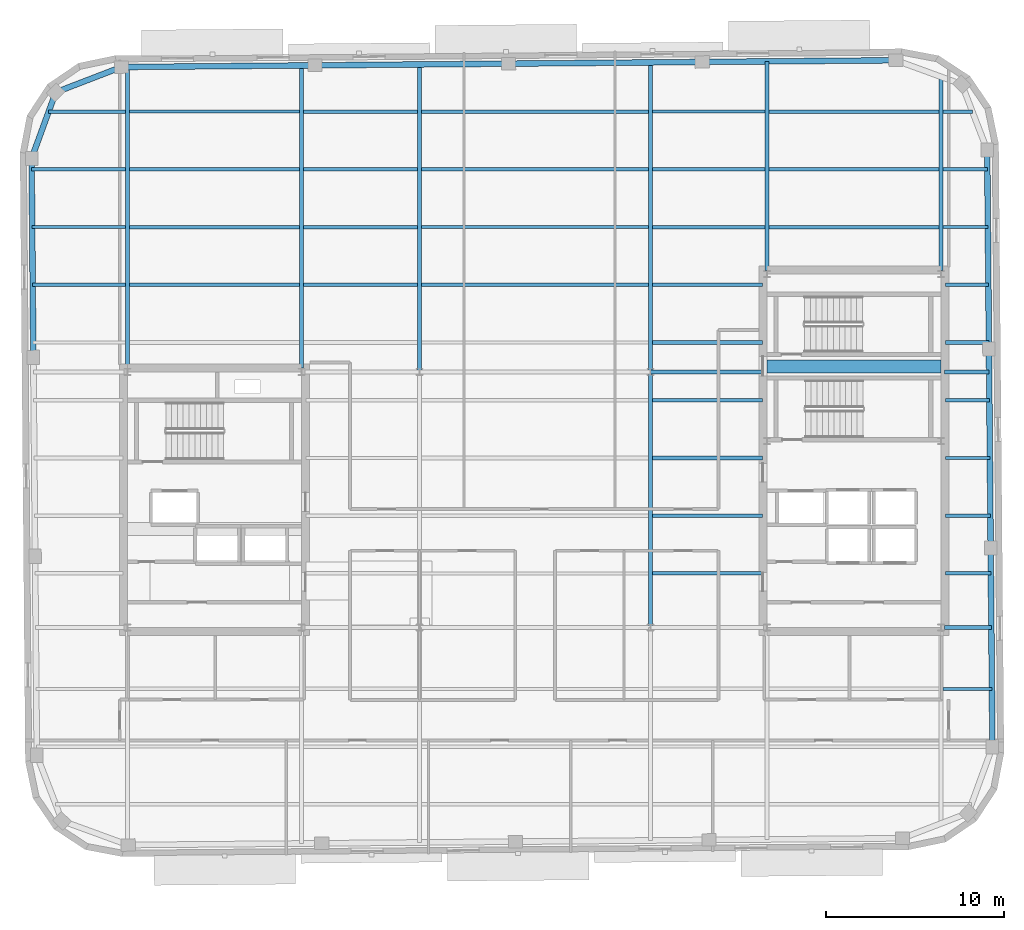
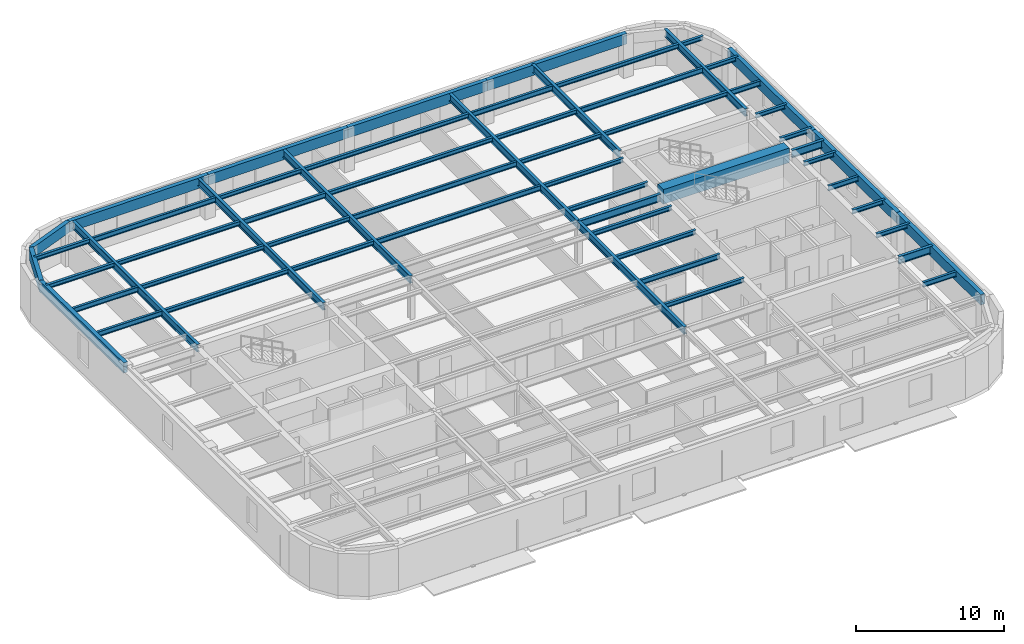
# One storey, part 5 of 13: 59 beams.
"""IFC4 building model written with IfcOpenShell, lengths in metres."""

from ifc_helpers import new_model, si_unit, direction, frame, origin, origin_2d, place, context, subcontext, project, spatial, rectangle, hollow_rectangle, i_section, extrude, material, material_profile, profile_set, type_object, element, save


model = new_model("IFC4")

# Units and contexts
model_context = context("Model", 3, precision=1e-05, world=origin(), true_north=direction((0.0, 1.0)))
body_context = subcontext(model_context, "Body", "Model", "MODEL_VIEW")
ifc_project = project(units=[si_unit("LENGTHUNIT", "METRE"), si_unit("AREAUNIT", "SQUARE_METRE"), si_unit("VOLUMEUNIT", "CUBIC_METRE"), si_unit("PLANEANGLEUNIT", "RADIAN"), si_unit("MASSUNIT", "GRAM", prefix="KILO")], contexts=[model_context])

# Site, building, storey
site_placement = place(None, origin())
site = spatial("IfcSite", under=ifc_project, at=site_placement, CompositionType="ELEMENT")
building_placement = place(site_placement, origin())
building = spatial("IfcBuilding", under=site, at=building_placement, Name="Kolvaren Arena Tower", CompositionType="ELEMENT")
storey_placement = place(building_placement, frame((0.0, 0.0, 286.14990234375)))
storey = spatial("IfcBuildingStorey", under=building, at=storey_placement, Name="L70", CompositionType="ELEMENT", Elevation=286.14990234375)

# Beams
ifc_material_1 = material(Name="Steel CSA G40.21 350W", Category="steel")
ifc_material_profile_1 = material_profile(ifc_material_1, i_section(OverallWidth=0.180908203125, OverallDepth=0.4169921875, WebThickness=0.010986328125, FlangeThickness=0.018310546875, FilletRadius=0.011962890625, at=origin_2d()), Name="W410x85")
ifc_profile_set_1 = profile_set([ifc_material_profile_1], Name="Steel CSA G40.21 350W")
beam_type_1 = type_object("IfcBeamType", Name="BEAM-F3", PredefinedType="BEAM", material=ifc_profile_set_1)
beam_1_placement = place(storey_placement, frame((60.464111328125, 16.0, 3.271484375), z_axis=(1.0, 0.0, 0.0), x_axis=(0.0, 1.0, 0.0)))
element("IfcBeam", 1, at=beam_1_placement, inside=storey, type_object=beam_type_1, Name="Composite Floor Beam (L70)", PredefinedType="BEAM", context=body_context, shape_type="SweptSolid", body=[
    extrude(i_section(OverallWidth=0.180908203125, OverallDepth=0.4169921875, WebThickness=0.010986328125, FlangeThickness=0.018310546875, FilletRadius=0.011962890625, at=origin_2d()), origin(), (0.0, 0.0, 1.0), 2.7529296875),
])
beam_2_placement = place(storey_placement, frame((44.114013671875, 25.75, 3.271484375), z_axis=(1.0, 0.0, 0.0), x_axis=(0.0, 1.0, 0.0)))
element("IfcBeam", 2, at=beam_2_placement, inside=storey, type_object=beam_type_1, Name="Composite Floor Beam (L70)", PredefinedType="BEAM", context=body_context, shape_type="SweptSolid", body=[
    extrude(i_section(OverallWidth=0.180908203125, OverallDepth=0.4169921875, WebThickness=0.010986328125, FlangeThickness=0.018310546875, FilletRadius=0.011962890625, at=origin_2d()), origin(), (0.0, 0.0, 1.0), 6.19091796875),
])
beam_3_placement = place(storey_placement, frame((60.594970703125, 29.0, 3.271484375), z_axis=(1.0, 0.0, 0.0), x_axis=(0.0, 1.0, 0.0)))
element("IfcBeam", 3, at=beam_3_placement, inside=storey, type_object=beam_type_1, Name="Composite Floor Beam (L70)", PredefinedType="BEAM", context=body_context, shape_type="SweptSolid", body=[
    extrude(i_section(OverallWidth=0.180908203125, OverallDepth=0.4169921875, WebThickness=0.010986328125, FlangeThickness=0.018310546875, FilletRadius=0.011962890625, at=origin_2d()), origin(), (0.0, 0.0, 1.0), 2.508544921875),
])
beam_4_placement = place(storey_placement, frame((9.216552734375, 38.75, 3.271484375), z_axis=(1.0, 0.0, 0.0), x_axis=(0.0, 1.0, 0.0)))
element("IfcBeam", 4, at=beam_4_placement, inside=storey, type_object=beam_type_1, Name="Composite Floor Beam (L70)", PredefinedType="BEAM", context=body_context, shape_type="SweptSolid", body=[
    extrude(i_section(OverallWidth=0.180908203125, OverallDepth=0.4169921875, WebThickness=0.010986328125, FlangeThickness=0.018310546875, FilletRadius=0.011962890625, at=origin_2d()), origin(), (0.0, 0.0, 1.0), 5.219482421875),
])
beam_5_placement = place(storey_placement, frame((31.114013671875, 38.75, 3.271484375), z_axis=(1.0, 0.0, 0.0), x_axis=(0.0, 1.0, 0.0)))
element("IfcBeam", 5, at=beam_5_placement, inside=storey, type_object=beam_type_1, Name="Composite Floor Beam (L70)", PredefinedType="BEAM", context=body_context, shape_type="SweptSolid", body=[
    extrude(i_section(OverallWidth=0.180908203125, OverallDepth=0.4169921875, WebThickness=0.010986328125, FlangeThickness=0.018310546875, FilletRadius=0.011962890625, at=origin_2d()), origin(), (0.0, 0.0, 1.0), 12.77197265625),
])
beam_6_placement = place(storey_placement, frame((9.18798828125, 42.0, 3.271484375), z_axis=(1.0, 0.0, 0.0), x_axis=(0.0, 1.0, 0.0)))
element("IfcBeam", 6, at=beam_6_placement, inside=storey, type_object=beam_type_1, Name="Composite Floor Beam (L70)", PredefinedType="BEAM", context=body_context, shape_type="SweptSolid", body=[
    extrude(i_section(OverallWidth=0.180908203125, OverallDepth=0.4169921875, WebThickness=0.010986328125, FlangeThickness=0.018310546875, FilletRadius=0.011962890625, at=origin_2d()), origin(), (0.0, 0.0, 1.0), 5.248046875),
])
beam_7_placement = place(storey_placement, frame((31.114013671875, 42.0, 3.271484375), z_axis=(1.0, 0.0, 0.0), x_axis=(0.0, 1.0, 0.0)))
element("IfcBeam", 7, at=beam_7_placement, inside=storey, type_object=beam_type_1, Name="Composite Floor Beam (L70)", PredefinedType="BEAM", context=body_context, shape_type="SweptSolid", body=[
    extrude(i_section(OverallWidth=0.180908203125, OverallDepth=0.4169921875, WebThickness=0.010986328125, FlangeThickness=0.018310546875, FilletRadius=0.011962890625, at=origin_2d()), origin(), (0.0, 0.0, 1.0), 12.77197265625),
])
beam_8_placement = place(storey_placement, frame((60.464111328125, 42.0, 3.271484375), z_axis=(1.0, 0.0, 0.0), x_axis=(0.0, 1.0, 0.0)))
element("IfcBeam", 8, at=beam_8_placement, inside=storey, type_object=beam_type_1, Name="Composite Floor Beam (L70)", PredefinedType="BEAM", context=body_context, shape_type="SweptSolid", body=[
    extrude(i_section(OverallWidth=0.180908203125, OverallDepth=0.4169921875, WebThickness=0.010986328125, FlangeThickness=0.018310546875, FilletRadius=0.011962890625, at=origin_2d()), origin(), (0.0, 0.0, 1.0), 2.526123046875),
])
beam_9_placement = place(storey_placement, frame((24.464111328125, 45.25, 3.271484375), z_axis=(1.0, 0.0, 0.0), x_axis=(0.0, 1.0, 0.0)))
element("IfcBeam", 9, at=beam_9_placement, inside=storey, type_object=beam_type_1, Name="Composite Floor Beam (L70)", PredefinedType="BEAM", context=body_context, shape_type="SweptSolid", body=[
    extrude(i_section(OverallWidth=0.180908203125, OverallDepth=0.4169921875, WebThickness=0.010986328125, FlangeThickness=0.018310546875, FilletRadius=0.011962890625, at=origin_2d()), origin(), (0.0, 0.0, 1.0), 6.421875),
])
for number, where, z_axis, x_axis, name in (
    (10, (50.6640625, 45.25, 3.271484375), (1.0, 0.0, 0.0), (0.0, 1.0, 0.0), "Composite Floor Beam (L70)"),
    (11, (14.6640625, 48.5, 3.271484375), (1.0, 0.0, 0.0), (0.0, 1.0, 0.0), "Composite Floor Beam (L70)"),
):
    element("IfcBeam", number, at=place(storey_placement, frame(where, z_axis=z_axis, x_axis=x_axis)), inside=storey, type_object=beam_type_1, Name=name, PredefinedType="BEAM", context=body_context, shape_type="SweptSolid", body=[
        extrude(i_section(OverallWidth=0.180908203125, OverallDepth=0.4169921875, WebThickness=0.010986328125, FlangeThickness=0.018310546875, FilletRadius=0.011962890625, at=origin_2d()), origin(), (0.0, 0.0, 1.0), 9.572021484375),
    ])
beam_10_placement = place(storey_placement, frame((44.114013671875, 48.5, 3.271484375), z_axis=(1.0, 0.0, 0.0), x_axis=(0.0, 1.0, 0.0)))
element("IfcBeam", 12, at=beam_10_placement, inside=storey, type_object=beam_type_1, Name="Composite Floor Beam (L70)", PredefinedType="BEAM", context=body_context, shape_type="SweptSolid", body=[
    extrude(i_section(OverallWidth=0.180908203125, OverallDepth=0.4169921875, WebThickness=0.010986328125, FlangeThickness=0.018310546875, FilletRadius=0.011962890625, at=origin_2d()), origin(), (0.0, 0.0, 1.0), 6.322021484375),
])
ifc_material_2 = material(Name="Concrete 60 MPa", Category="concrete")
ifc_material_profile_2 = material_profile(ifc_material_2, rectangle(XDim=0.75, YDim=1.199951171875, at=origin_2d()), Name="RC-750x1200")
ifc_profile_set_2 = profile_set([ifc_material_profile_2], Name="Concrete 60 MPa")
beam_type_2 = type_object("IfcBeamType", Name="CB-CORE-2", PredefinedType="BEAM", material=ifc_profile_set_2)
beam_11_placement = place(storey_placement, frame((50.550048828125, 34.14990234375, 3.150146484375), z_axis=(1.0, 0.0, 0.0), x_axis=(0.0, 1.0, 0.0)))
element("IfcBeam", 13, at=beam_11_placement, inside=storey, type_object=beam_type_2, Name="East Core Coupling Beam (L70)", PredefinedType="BEAM", context=body_context, shape_type="SweptSolid", body=[
    extrude(rectangle(XDim=0.75, YDim=1.199951171875, at=origin_2d()), origin(), (0.0, 0.0, 1.0), 9.800048828125),
])
ifc_material_profile_3 = material_profile(ifc_material_1, i_section(OverallWidth=0.22802734375, OverallDepth=0.615966796875, WebThickness=0.013916015625, FlangeThickness=0.02490234375, FilletRadius=0.014892578125, at=origin_2d()), Name="W610x174")
ifc_profile_set_3 = profile_set([ifc_material_profile_3], Name="Steel CSA G40.21 350W")
beam_type_3 = type_object("IfcBeamType", Name="GIRD-T3", PredefinedType="BEAM", material=ifc_profile_set_3)
beam_12_placement = place(storey_placement, frame((60.554931640625, 19.449951171875, 3.172119140625), z_axis=(1.0, 0.0, 0.0), x_axis=(0.0, 1.0, 0.0)))
element("IfcBeam", 14, at=beam_12_placement, inside=storey, type_object=beam_type_3, Name="Primary Floor Girder (L70)", PredefinedType="BEAM", context=body_context, shape_type="SweptSolid", body=[
    extrude(i_section(OverallWidth=0.22802734375, OverallDepth=0.615966796875, WebThickness=0.013916015625, FlangeThickness=0.02490234375, FilletRadius=0.014892578125, at=origin_2d()), origin(), (0.0, 0.0, 1.0), 2.632080078125),
])
beam_13_placement = place(storey_placement, frame((44.0, 33.85009765625, 3.172119140625), z_axis=(1.0, 0.0, 0.0), x_axis=(0.0, 1.0, 0.0)))
element("IfcBeam", 15, at=beam_13_placement, inside=storey, type_object=beam_type_3, Name="Primary Floor Girder (L70)", PredefinedType="BEAM", context=body_context, shape_type="SweptSolid", body=[
    extrude(i_section(OverallWidth=0.22802734375, OverallDepth=0.615966796875, WebThickness=0.013916015625, FlangeThickness=0.02490234375, FilletRadius=0.014892578125, at=origin_2d()), origin(), (0.0, 0.0, 1.0), 6.344970703125),
])
beam_14_placement = place(storey_placement, frame((60.554931640625, 33.85009765625, 3.172119140625), z_axis=(1.0, 0.0, 0.0), x_axis=(0.0, 1.0, 0.0)))
element("IfcBeam", 16, at=beam_14_placement, inside=storey, type_object=beam_type_3, Name="Primary Floor Girder (L70)", PredefinedType="BEAM", context=body_context, shape_type="SweptSolid", body=[
    extrude(i_section(OverallWidth=0.22802734375, OverallDepth=0.615966796875, WebThickness=0.013916015625, FlangeThickness=0.02490234375, FilletRadius=0.014892578125, at=origin_2d()), origin(), (0.0, 0.0, 1.0), 2.50634765625),
])
beam_15_placement = place(storey_placement, frame((14.550048828125, 34.054931640625, 3.172119140625), z_axis=(0.0, 1.0, 0.0), x_axis=(-1.0, 0.0, 0.0)))
element("IfcBeam", 17, at=beam_15_placement, inside=storey, type_object=beam_type_3, Name="Primary Floor Girder (L70)", PredefinedType="BEAM", context=body_context, shape_type="SweptSolid", body=[
    extrude(i_section(OverallWidth=0.22802734375, OverallDepth=0.615966796875, WebThickness=0.013916015625, FlangeThickness=0.02490234375, FilletRadius=0.014892578125, at=origin_2d()), origin(), (0.0, 0.0, 1.0), 16.95703125),
])
beam_16_placement = place(storey_placement, frame((24.35009765625, 34.054931640625, 3.172119140625), z_axis=(0.0, 1.0, 0.0), x_axis=(-1.0, 0.0, 0.0)))
element("IfcBeam", 18, at=beam_16_placement, inside=storey, type_object=beam_type_3, Name="Primary Floor Girder (L70)", PredefinedType="BEAM", context=body_context, shape_type="SweptSolid", body=[
    extrude(i_section(OverallWidth=0.22802734375, OverallDepth=0.615966796875, WebThickness=0.013916015625, FlangeThickness=0.02490234375, FilletRadius=0.014892578125, at=origin_2d()), origin(), (0.0, 0.0, 1.0), 17.04248046875),
])
beam_17_placement = place(storey_placement, frame((31.0, 33.85009765625, 3.172119140625), z_axis=(0.0, 1.0, 0.0), x_axis=(-1.0, 0.0, 0.0)))
element("IfcBeam", 19, at=beam_17_placement, inside=storey, type_object=beam_type_3, Name="Primary Floor Girder (L70)", PredefinedType="BEAM", context=body_context, shape_type="SweptSolid", body=[
    extrude(i_section(OverallWidth=0.22802734375, OverallDepth=0.615966796875, WebThickness=0.013916015625, FlangeThickness=0.02490234375, FilletRadius=0.014892578125, at=origin_2d()), origin(), (0.0, 0.0, 1.0), 17.305419921875),
])
beam_18_placement = place(storey_placement, frame((44.0, 19.449951171875, 3.172119140625), z_axis=(0.0, 1.0, 0.0), x_axis=(-1.0, 0.0, 0.0)))
element("IfcBeam", 20, at=beam_18_placement, inside=storey, type_object=beam_type_3, Name="Primary Floor Girder (L70)", PredefinedType="BEAM", context=body_context, shape_type="SweptSolid", body=[
    extrude(i_section(OverallWidth=0.22802734375, OverallDepth=0.615966796875, WebThickness=0.013916015625, FlangeThickness=0.02490234375, FilletRadius=0.014892578125, at=origin_2d()), origin(), (0.0, 0.0, 1.0), 14.400146484375),
])
beam_19_placement = place(storey_placement, frame((44.0, 33.85009765625, 3.172119140625), z_axis=(0.0, 1.0, 0.0), x_axis=(-1.0, 0.0, 0.0)))
element("IfcBeam", 21, at=beam_19_placement, inside=storey, type_object=beam_type_3, Name="Primary Floor Girder (L70)", PredefinedType="BEAM", context=body_context, shape_type="SweptSolid", body=[
    extrude(i_section(OverallWidth=0.22802734375, OverallDepth=0.615966796875, WebThickness=0.013916015625, FlangeThickness=0.02490234375, FilletRadius=0.014892578125, at=origin_2d()), origin(), (0.0, 0.0, 1.0), 17.418701171875),
])
beam_20_placement = place(storey_placement, frame((50.550048828125, 39.554931640625, 3.172119140625), z_axis=(0.0, 1.0, 0.0), x_axis=(-1.0, 0.0, 0.0)))
element("IfcBeam", 22, at=beam_20_placement, inside=storey, type_object=beam_type_3, Name="Primary Floor Girder (L70)", PredefinedType="BEAM", context=body_context, shape_type="SweptSolid", body=[
    extrude(i_section(OverallWidth=0.22802734375, OverallDepth=0.615966796875, WebThickness=0.013916015625, FlangeThickness=0.02490234375, FilletRadius=0.014892578125, at=origin_2d()), origin(), (0.0, 0.0, 1.0), 11.771240234375),
])
beam_21_placement = place(storey_placement, frame((60.35009765625, 39.554931640625, 3.172119140625), z_axis=(0.0, 1.0, 0.0), x_axis=(-1.0, 0.0, 0.0)))
element("IfcBeam", 23, at=beam_21_placement, inside=storey, type_object=beam_type_3, Name="Primary Floor Girder (L70)", PredefinedType="BEAM", context=body_context, shape_type="SweptSolid", body=[
    extrude(i_section(OverallWidth=0.22802734375, OverallDepth=0.615966796875, WebThickness=0.013916015625, FlangeThickness=0.02490234375, FilletRadius=0.014892578125, at=origin_2d()), origin(), (0.0, 0.0, 1.0), 10.90625),
])
ifc_material_profile_4 = material_profile(ifc_material_1, i_section(OverallWidth=0.202880859375, OverallDepth=0.346923828125, WebThickness=0.0078125, FlangeThickness=0.013427734375, FilletRadius=0.010986328125, at=origin_2d()), Name="W360x64")
ifc_profile_set_4 = profile_set([ifc_material_profile_4], Name="Steel CSA G40.21 350W")
beam_type_4 = type_object("IfcBeamType", Name="JOIST-01", PredefinedType="JOIST", material=ifc_profile_set_4)
beam_22_placement = place(storey_placement, frame((44.114013671875, 22.5, 3.306640625), z_axis=(1.0, 0.0, 0.0), x_axis=(0.0, 1.0, 0.0)))
element("IfcBeam", 24, at=beam_22_placement, inside=storey, type_object=beam_type_4, Name="Composite Floor Joist (L70)", PredefinedType="JOIST", context=body_context, shape_type="SweptSolid", body=[
    extrude(i_section(OverallWidth=0.202880859375, OverallDepth=0.346923828125, WebThickness=0.0078125, FlangeThickness=0.013427734375, FilletRadius=0.010986328125, at=origin_2d()), origin(), (0.0, 0.0, 1.0), 6.19091796875),
])
beam_23_placement = place(storey_placement, frame((60.594970703125, 22.5, 3.306640625), z_axis=(1.0, 0.0, 0.0), x_axis=(0.0, 1.0, 0.0)))
element("IfcBeam", 25, at=beam_23_placement, inside=storey, type_object=beam_type_4, Name="Composite Floor Joist (L70)", PredefinedType="JOIST", context=body_context, shape_type="SweptSolid", body=[
    extrude(i_section(OverallWidth=0.202880859375, OverallDepth=0.346923828125, WebThickness=0.0078125, FlangeThickness=0.013427734375, FilletRadius=0.010986328125, at=origin_2d()), origin(), (0.0, 0.0, 1.0), 2.5654296875),
])
beam_24_placement = place(storey_placement, frame((60.594970703125, 25.75, 3.306640625), z_axis=(1.0, 0.0, 0.0), x_axis=(0.0, 1.0, 0.0)))
element("IfcBeam", 26, at=beam_24_placement, inside=storey, type_object=beam_type_4, Name="Composite Floor Joist (L70)", PredefinedType="JOIST", context=body_context, shape_type="SweptSolid", body=[
    extrude(i_section(OverallWidth=0.202880859375, OverallDepth=0.346923828125, WebThickness=0.0078125, FlangeThickness=0.013427734375, FilletRadius=0.010986328125, at=origin_2d()), origin(), (0.0, 0.0, 1.0), 2.537109375),
])
for number, where, z_axis, x_axis, name in (
    (27, (44.114013671875, 29.0, 3.306640625), (1.0, 0.0, 0.0), (0.0, 1.0, 0.0), "Composite Floor Joist (L70)"),
    (28, (44.114013671875, 32.25, 3.306640625), (1.0, 0.0, 0.0), (0.0, 1.0, 0.0), "Composite Floor Joist (L70)"),
):
    element("IfcBeam", number, at=place(storey_placement, frame(where, z_axis=z_axis, x_axis=x_axis)), inside=storey, type_object=beam_type_4, Name=name, PredefinedType="JOIST", context=body_context, shape_type="SweptSolid", body=[
        extrude(i_section(OverallWidth=0.202880859375, OverallDepth=0.346923828125, WebThickness=0.0078125, FlangeThickness=0.013427734375, FilletRadius=0.010986328125, at=origin_2d()), origin(), (0.0, 0.0, 1.0), 6.19091796875),
    ])
beam_25_placement = place(storey_placement, frame((60.594970703125, 32.25, 3.306640625), z_axis=(1.0, 0.0, 0.0), x_axis=(0.0, 1.0, 0.0)))
element("IfcBeam", 29, at=beam_25_placement, inside=storey, type_object=beam_type_4, Name="Composite Floor Joist (L70)", PredefinedType="JOIST", context=body_context, shape_type="SweptSolid", body=[
    extrude(i_section(OverallWidth=0.202880859375, OverallDepth=0.346923828125, WebThickness=0.0078125, FlangeThickness=0.013427734375, FilletRadius=0.010986328125, at=origin_2d()), origin(), (0.0, 0.0, 1.0), 2.480224609375),
])
beam_26_placement = place(storey_placement, frame((44.114013671875, 35.5, 3.306640625), z_axis=(1.0, 0.0, 0.0), x_axis=(0.0, 1.0, 0.0)))
element("IfcBeam", 30, at=beam_26_placement, inside=storey, type_object=beam_type_4, Name="Composite Floor Joist (L70)", PredefinedType="JOIST", context=body_context, shape_type="SweptSolid", body=[
    extrude(i_section(OverallWidth=0.202880859375, OverallDepth=0.346923828125, WebThickness=0.0078125, FlangeThickness=0.013427734375, FilletRadius=0.010986328125, at=origin_2d()), origin(), (0.0, 0.0, 1.0), 6.19091796875),
])
beam_27_placement = place(storey_placement, frame((60.594970703125, 35.5, 3.306640625), z_axis=(1.0, 0.0, 0.0), x_axis=(0.0, 1.0, 0.0)))
element("IfcBeam", 31, at=beam_27_placement, inside=storey, type_object=beam_type_4, Name="Composite Floor Joist (L70)", PredefinedType="JOIST", context=body_context, shape_type="SweptSolid", body=[
    extrude(i_section(OverallWidth=0.202880859375, OverallDepth=0.346923828125, WebThickness=0.0078125, FlangeThickness=0.013427734375, FilletRadius=0.010986328125, at=origin_2d()), origin(), (0.0, 0.0, 1.0), 2.451904296875),
])
beam_28_placement = place(storey_placement, frame((14.6640625, 38.75, 3.306640625), z_axis=(1.0, 0.0, 0.0), x_axis=(0.0, 1.0, 0.0)))
element("IfcBeam", 32, at=beam_28_placement, inside=storey, type_object=beam_type_4, Name="Composite Floor Joist (L70)", PredefinedType="JOIST", context=body_context, shape_type="SweptSolid", body=[
    extrude(i_section(OverallWidth=0.202880859375, OverallDepth=0.346923828125, WebThickness=0.0078125, FlangeThickness=0.013427734375, FilletRadius=0.010986328125, at=origin_2d()), origin(), (0.0, 0.0, 1.0), 9.572021484375),
])
beam_29_placement = place(storey_placement, frame((24.464111328125, 38.75, 3.306640625), z_axis=(1.0, 0.0, 0.0), x_axis=(0.0, 1.0, 0.0)))
element("IfcBeam", 33, at=beam_29_placement, inside=storey, type_object=beam_type_4, Name="Composite Floor Joist (L70)", PredefinedType="JOIST", context=body_context, shape_type="SweptSolid", body=[
    extrude(i_section(OverallWidth=0.202880859375, OverallDepth=0.346923828125, WebThickness=0.0078125, FlangeThickness=0.013427734375, FilletRadius=0.010986328125, at=origin_2d()), origin(), (0.0, 0.0, 1.0), 6.421875),
])
beam_30_placement = place(storey_placement, frame((44.114013671875, 38.75, 3.306640625), z_axis=(1.0, 0.0, 0.0), x_axis=(0.0, 1.0, 0.0)))
element("IfcBeam", 34, at=beam_30_placement, inside=storey, type_object=beam_type_4, Name="Composite Floor Joist (L70)", PredefinedType="JOIST", context=body_context, shape_type="SweptSolid", body=[
    extrude(i_section(OverallWidth=0.202880859375, OverallDepth=0.346923828125, WebThickness=0.0078125, FlangeThickness=0.013427734375, FilletRadius=0.010986328125, at=origin_2d()), origin(), (0.0, 0.0, 1.0), 6.19091796875),
])
beam_31_placement = place(storey_placement, frame((60.594970703125, 38.75, 3.306640625), z_axis=(1.0, 0.0, 0.0), x_axis=(0.0, 1.0, 0.0)))
element("IfcBeam", 35, at=beam_31_placement, inside=storey, type_object=beam_type_4, Name="Composite Floor Joist (L70)", PredefinedType="JOIST", context=body_context, shape_type="SweptSolid", body=[
    extrude(i_section(OverallWidth=0.202880859375, OverallDepth=0.346923828125, WebThickness=0.0078125, FlangeThickness=0.013427734375, FilletRadius=0.010986328125, at=origin_2d()), origin(), (0.0, 0.0, 1.0), 2.423583984375),
])
beam_32_placement = place(storey_placement, frame((14.6640625, 42.0, 3.306640625), z_axis=(1.0, 0.0, 0.0), x_axis=(0.0, 1.0, 0.0)))
element("IfcBeam", 36, at=beam_32_placement, inside=storey, type_object=beam_type_4, Name="Composite Floor Joist (L70)", PredefinedType="JOIST", context=body_context, shape_type="SweptSolid", body=[
    extrude(i_section(OverallWidth=0.202880859375, OverallDepth=0.346923828125, WebThickness=0.0078125, FlangeThickness=0.013427734375, FilletRadius=0.010986328125, at=origin_2d()), origin(), (0.0, 0.0, 1.0), 9.572021484375),
])
beam_33_placement = place(storey_placement, frame((24.464111328125, 42.0, 3.306640625), z_axis=(1.0, 0.0, 0.0), x_axis=(0.0, 1.0, 0.0)))
element("IfcBeam", 37, at=beam_33_placement, inside=storey, type_object=beam_type_4, Name="Composite Floor Joist (L70)", PredefinedType="JOIST", context=body_context, shape_type="SweptSolid", body=[
    extrude(i_section(OverallWidth=0.202880859375, OverallDepth=0.346923828125, WebThickness=0.0078125, FlangeThickness=0.013427734375, FilletRadius=0.010986328125, at=origin_2d()), origin(), (0.0, 0.0, 1.0), 6.421875),
])
beam_34_placement = place(storey_placement, frame((44.114013671875, 42.0, 3.306640625), z_axis=(1.0, 0.0, 0.0), x_axis=(0.0, 1.0, 0.0)))
element("IfcBeam", 38, at=beam_34_placement, inside=storey, type_object=beam_type_4, Name="Composite Floor Joist (L70)", PredefinedType="JOIST", context=body_context, shape_type="SweptSolid", body=[
    extrude(i_section(OverallWidth=0.202880859375, OverallDepth=0.346923828125, WebThickness=0.0078125, FlangeThickness=0.013427734375, FilletRadius=0.010986328125, at=origin_2d()), origin(), (0.0, 0.0, 1.0), 6.322021484375),
])
beam_35_placement = place(storey_placement, frame((50.6640625, 42.0, 3.306640625), z_axis=(1.0, 0.0, 0.0), x_axis=(0.0, 1.0, 0.0)))
element("IfcBeam", 39, at=beam_35_placement, inside=storey, type_object=beam_type_4, Name="Composite Floor Joist (L70)", PredefinedType="JOIST", context=body_context, shape_type="SweptSolid", body=[
    extrude(i_section(OverallWidth=0.202880859375, OverallDepth=0.346923828125, WebThickness=0.0078125, FlangeThickness=0.013427734375, FilletRadius=0.010986328125, at=origin_2d()), origin(), (0.0, 0.0, 1.0), 9.572021484375),
])
beam_36_placement = place(storey_placement, frame((9.159912109375, 45.25, 3.306640625), z_axis=(1.0, 0.0, 0.0), x_axis=(0.0, 1.0, 0.0)))
element("IfcBeam", 40, at=beam_36_placement, inside=storey, type_object=beam_type_4, Name="Composite Floor Joist (L70)", PredefinedType="JOIST", context=body_context, shape_type="SweptSolid", body=[
    extrude(i_section(OverallWidth=0.202880859375, OverallDepth=0.346923828125, WebThickness=0.0078125, FlangeThickness=0.013427734375, FilletRadius=0.010986328125, at=origin_2d()), origin(), (0.0, 0.0, 1.0), 5.276123046875),
])
beam_37_placement = place(storey_placement, frame((14.6640625, 45.25, 3.306640625), z_axis=(1.0, 0.0, 0.0), x_axis=(0.0, 1.0, 0.0)))
element("IfcBeam", 41, at=beam_37_placement, inside=storey, type_object=beam_type_4, Name="Composite Floor Joist (L70)", PredefinedType="JOIST", context=body_context, shape_type="SweptSolid", body=[
    extrude(i_section(OverallWidth=0.202880859375, OverallDepth=0.346923828125, WebThickness=0.0078125, FlangeThickness=0.013427734375, FilletRadius=0.010986328125, at=origin_2d()), origin(), (0.0, 0.0, 1.0), 9.572021484375),
])
beam_38_placement = place(storey_placement, frame((31.114013671875, 45.25, 3.306640625), z_axis=(1.0, 0.0, 0.0), x_axis=(0.0, 1.0, 0.0)))
element("IfcBeam", 42, at=beam_38_placement, inside=storey, type_object=beam_type_4, Name="Composite Floor Joist (L70)", PredefinedType="JOIST", context=body_context, shape_type="SweptSolid", body=[
    extrude(i_section(OverallWidth=0.202880859375, OverallDepth=0.346923828125, WebThickness=0.0078125, FlangeThickness=0.013427734375, FilletRadius=0.010986328125, at=origin_2d()), origin(), (0.0, 0.0, 1.0), 12.77197265625),
])
beam_39_placement = place(storey_placement, frame((44.114013671875, 45.25, 3.306640625), z_axis=(1.0, 0.0, 0.0), x_axis=(0.0, 1.0, 0.0)))
element("IfcBeam", 43, at=beam_39_placement, inside=storey, type_object=beam_type_4, Name="Composite Floor Joist (L70)", PredefinedType="JOIST", context=body_context, shape_type="SweptSolid", body=[
    extrude(i_section(OverallWidth=0.202880859375, OverallDepth=0.346923828125, WebThickness=0.0078125, FlangeThickness=0.013427734375, FilletRadius=0.010986328125, at=origin_2d()), origin(), (0.0, 0.0, 1.0), 6.322021484375),
])
beam_40_placement = place(storey_placement, frame((60.464111328125, 45.25, 3.306640625), z_axis=(1.0, 0.0, 0.0), x_axis=(0.0, 1.0, 0.0)))
element("IfcBeam", 44, at=beam_40_placement, inside=storey, type_object=beam_type_4, Name="Composite Floor Joist (L70)", PredefinedType="JOIST", context=body_context, shape_type="SweptSolid", body=[
    extrude(i_section(OverallWidth=0.202880859375, OverallDepth=0.346923828125, WebThickness=0.0078125, FlangeThickness=0.013427734375, FilletRadius=0.010986328125, at=origin_2d()), origin(), (0.0, 0.0, 1.0), 2.497802734375),
])
beam_41_placement = place(storey_placement, frame((10.11669921875, 48.5, 3.306640625), z_axis=(1.0, 0.0, 0.0), x_axis=(0.0, 1.0, 0.0)))
element("IfcBeam", 45, at=beam_41_placement, inside=storey, type_object=beam_type_4, Name="Composite Floor Joist (L70)", PredefinedType="JOIST", context=body_context, shape_type="SweptSolid", body=[
    extrude(i_section(OverallWidth=0.202880859375, OverallDepth=0.346923828125, WebThickness=0.0078125, FlangeThickness=0.013427734375, FilletRadius=0.010986328125, at=origin_2d()), origin(), (0.0, 0.0, 1.0), 4.3193359375),
])
beam_42_placement = place(storey_placement, frame((24.464111328125, 48.5, 3.306640625), z_axis=(1.0, 0.0, 0.0), x_axis=(0.0, 1.0, 0.0)))
element("IfcBeam", 46, at=beam_42_placement, inside=storey, type_object=beam_type_4, Name="Composite Floor Joist (L70)", PredefinedType="JOIST", context=body_context, shape_type="SweptSolid", body=[
    extrude(i_section(OverallWidth=0.202880859375, OverallDepth=0.346923828125, WebThickness=0.0078125, FlangeThickness=0.013427734375, FilletRadius=0.010986328125, at=origin_2d()), origin(), (0.0, 0.0, 1.0), 6.421875),
])
beam_43_placement = place(storey_placement, frame((31.114013671875, 48.5, 3.306640625), z_axis=(1.0, 0.0, 0.0), x_axis=(0.0, 1.0, 0.0)))
element("IfcBeam", 47, at=beam_43_placement, inside=storey, type_object=beam_type_4, Name="Composite Floor Joist (L70)", PredefinedType="JOIST", context=body_context, shape_type="SweptSolid", body=[
    extrude(i_section(OverallWidth=0.202880859375, OverallDepth=0.346923828125, WebThickness=0.0078125, FlangeThickness=0.013427734375, FilletRadius=0.010986328125, at=origin_2d()), origin(), (0.0, 0.0, 1.0), 12.77197265625),
])
beam_44_placement = place(storey_placement, frame((50.6640625, 48.5, 3.306640625), z_axis=(1.0, 0.0, 0.0), x_axis=(0.0, 1.0, 0.0)))
element("IfcBeam", 48, at=beam_44_placement, inside=storey, type_object=beam_type_4, Name="Composite Floor Joist (L70)", PredefinedType="JOIST", context=body_context, shape_type="SweptSolid", body=[
    extrude(i_section(OverallWidth=0.202880859375, OverallDepth=0.346923828125, WebThickness=0.0078125, FlangeThickness=0.013427734375, FilletRadius=0.010986328125, at=origin_2d()), origin(), (0.0, 0.0, 1.0), 9.572021484375),
])
beam_45_placement = place(storey_placement, frame((60.464111328125, 48.5, 3.306640625), z_axis=(1.0, 0.0, 0.0), x_axis=(0.0, 1.0, 0.0)))
element("IfcBeam", 49, at=beam_45_placement, inside=storey, type_object=beam_type_4, Name="Composite Floor Joist (L70)", PredefinedType="JOIST", context=body_context, shape_type="SweptSolid", body=[
    extrude(i_section(OverallWidth=0.202880859375, OverallDepth=0.346923828125, WebThickness=0.0078125, FlangeThickness=0.013427734375, FilletRadius=0.010986328125, at=origin_2d()), origin(), (0.0, 0.0, 1.0), 1.654296875),
])
ifc_material_3 = material(Name="Steel CSA G40.21 350WT", Category="steel")
ifc_material_profile_5 = material_profile(ifc_material_3, hollow_rectangle(XDim=0.320068359375, YDim=0.860107421875, WallThickness=0.01806640625, at=origin_2d()), Name="HSS 860x320x18")
ifc_profile_set_5 = profile_set([ifc_material_profile_5], Name="Steel CSA G40.21 350WT")
beam_type_5 = type_object("IfcBeamType", Name="SPAND-02", PredefinedType="SPANDREL", material=ifc_profile_set_5)
beam_46_placement = place(storey_placement, frame((63.24560546875, 12.7353515625, 3.050048828125), z_axis=(-0.008741001013, 0.999961796721, 0.0), x_axis=(-0.999961796721, -0.008741001013, 0.0)))
element("IfcBeam", 50, at=beam_46_placement, inside=storey, type_object=beam_type_5, Name="Perimeter Spandrel Beam (L70)", PredefinedType="SPANDREL", context=body_context, shape_type="SweptSolid", body=[
    extrude(hollow_rectangle(XDim=0.320068359375, YDim=0.860107421875, WallThickness=0.01806640625, at=origin_2d()), origin(), (0.0, 0.0, 1.0), 11.2001953125),
])
for number, where, z_axis, x_axis, name in (
    (51, (63.147705078125, 23.93505859375, 3.050048828125), (-0.008719394723, 0.999961985355, 0.0), (-0.999961985355, -0.008719394723, 0.0), "Perimeter Spandrel Beam (L70)"),
    (52, (63.050048828125, 35.134521484375, 3.050048828125), (-0.008719394723, 0.999961985355, 0.0), (-0.999961985355, -0.008719394723, 0.0), "Perimeter Spandrel Beam (L70)"),
):
    element("IfcBeam", number, at=place(storey_placement, frame(where, z_axis=z_axis, x_axis=x_axis)), inside=storey, type_object=beam_type_5, Name=name, PredefinedType="SPANDREL", context=body_context, shape_type="SweptSolid", body=[
        extrude(hollow_rectangle(XDim=0.320068359375, YDim=0.860107421875, WallThickness=0.01806640625, at=origin_2d()), origin(), (0.0, 0.0, 1.0), 11.199951171875),
    ])
for number, where, z_axis, x_axis, name in (
    (53, (57.80810546875, 51.389404296875, 3.050048828125), (-0.999961846999, -0.008735247404, 0.0), (0.008735247404, -0.999961846999, 0.0), "Perimeter Spandrel Beam (L70)"),
    (54, (46.908447265625, 51.294189453125, 3.050048828125), (-0.999962042393, -0.008712851036, 0.0), (0.008712851036, -0.999962042393, 0.0), "Perimeter Spandrel Beam (L70)"),
):
    element("IfcBeam", number, at=place(storey_placement, frame(where, z_axis=z_axis, x_axis=x_axis)), inside=storey, type_object=beam_type_5, Name=name, PredefinedType="SPANDREL", context=body_context, shape_type="SweptSolid", body=[
        extrude(hollow_rectangle(XDim=0.320068359375, YDim=0.860107421875, WallThickness=0.01806640625, at=origin_2d()), origin(), (0.0, 0.0, 1.0), 10.900146484375),
    ])
beam_47_placement = place(storey_placement, frame((36.0087890625, 51.19921875, 3.050048828125), z_axis=(-0.999961845289, -0.008735443053, 0.0), x_axis=(0.008735443053, -0.999961845289, 0.0)))
element("IfcBeam", 55, at=beam_47_placement, inside=storey, type_object=beam_type_5, Name="Perimeter Spandrel Beam (L70)", PredefinedType="SPANDREL", context=body_context, shape_type="SweptSolid", body=[
    extrude(hollow_rectangle(XDim=0.320068359375, YDim=0.860107421875, WallThickness=0.01806640625, at=origin_2d()), origin(), (0.0, 0.0, 1.0), 10.89990234375),
])
beam_48_placement = place(storey_placement, frame((25.109375, 51.10400390625, 3.050048828125), z_axis=(-0.999961846999, -0.008735247404, 0.0), x_axis=(0.008735247404, -0.999961846999, 0.0)))
element("IfcBeam", 56, at=beam_48_placement, inside=storey, type_object=beam_type_5, Name="Perimeter Spandrel Beam (L70)", PredefinedType="SPANDREL", context=body_context, shape_type="SweptSolid", body=[
    extrude(hollow_rectangle(XDim=0.320068359375, YDim=0.860107421875, WallThickness=0.01806640625, at=origin_2d()), origin(), (0.0, 0.0, 1.0), 10.900146484375),
])
beam_49_placement = place(storey_placement, frame((14.209716796875, 51.0087890625, 3.050048828125), z_axis=(-0.933210515777, -0.359330117362, 0.0), x_axis=(0.359330117362, -0.933210515777, 0.0)))
element("IfcBeam", 57, at=beam_49_placement, inside=storey, type_object=beam_type_5, Name="Perimeter Spandrel Beam (L70)", PredefinedType="SPANDREL", context=body_context, shape_type="SweptSolid", body=[
    extrude(hollow_rectangle(XDim=0.320068359375, YDim=0.860107421875, WallThickness=0.01806640625, at=origin_2d()), origin(), (0.0, 0.0, 1.0), 3.961181640625),
])
beam_50_placement = place(storey_placement, frame((10.51318359375, 49.58544921875, 3.050048828125), z_axis=(-0.343039242335, -0.939321073019, 0.0), x_axis=(0.939321073019, -0.343039242335, 0.0)))
element("IfcBeam", 58, at=beam_50_placement, inside=storey, type_object=beam_type_5, Name="Perimeter Spandrel Beam (L70)", PredefinedType="SPANDREL", context=body_context, shape_type="SweptSolid", body=[
    extrude(hollow_rectangle(XDim=0.320068359375, YDim=0.860107421875, WallThickness=0.01806640625, at=origin_2d()), origin(), (0.0, 0.0, 1.0), 3.96142578125),
])
beam_51_placement = place(storey_placement, frame((9.154296875, 45.864501953125, 3.050048828125), z_axis=(0.008741191547, -0.999961795055, 0.0), x_axis=(0.999961795055, 0.008741191547, 0.0)))
element("IfcBeam", 59, at=beam_51_placement, inside=storey, type_object=beam_type_5, Name="Perimeter Spandrel Beam (L70)", PredefinedType="SPANDREL", context=body_context, shape_type="SweptSolid", body=[
    extrude(hollow_rectangle(XDim=0.320068359375, YDim=0.860107421875, WallThickness=0.01806640625, at=origin_2d()), origin(), (0.0, 0.0, 1.0), 11.199951171875),
])

save(model, "model.ifc")
